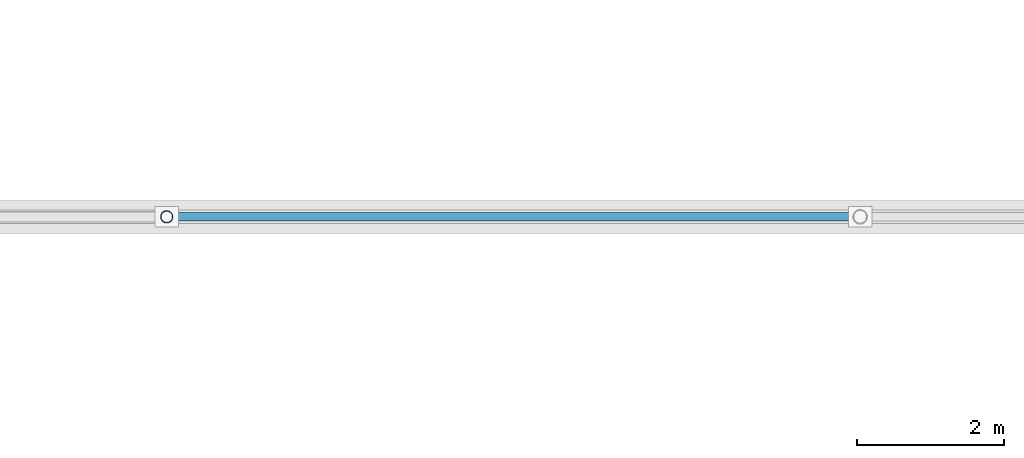
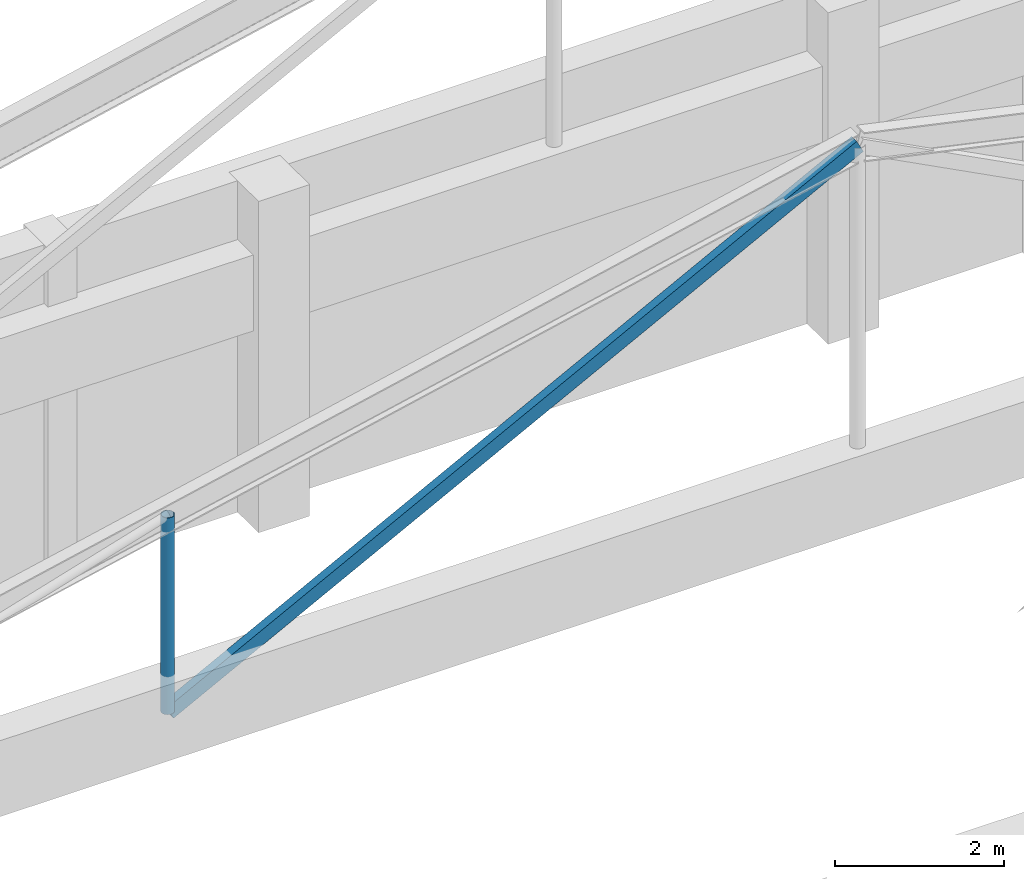
# One storey, part 34 of 105: 2 members.
"""IFC4 building model written with IfcOpenShell, lengths in metres."""

from ifc_helpers import new_model, si_unit, direction, frame, origin, origin_2d, place, context, subcontext, project, spatial, hollow_rectangle, hollow_circle, extrude, material, material_profile, profile_set, type_object, element, save


model = new_model("IFC4")

# Units and contexts
model_context = context("Model", 3, precision=1e-05, world=origin(), true_north=direction((0.0, 1.0)))
body_context = subcontext(model_context, "Body", "Model", "MODEL_VIEW")
ifc_project = project(units=[si_unit("LENGTHUNIT", "METRE"), si_unit("AREAUNIT", "SQUARE_METRE"), si_unit("VOLUMEUNIT", "CUBIC_METRE"), si_unit("PLANEANGLEUNIT", "RADIAN"), si_unit("MASSUNIT", "GRAM", prefix="KILO")], contexts=[model_context])

# Site, building, storey
site_placement = place(None, origin())
site = spatial("IfcSite", under=ifc_project, at=site_placement, CompositionType="ELEMENT")
building_placement = place(site_placement, origin())
building = spatial("IfcBuilding", under=site, at=building_placement, Name="Pelvatis Terrace Science Centre", CompositionType="ELEMENT")
storey_placement = place(building_placement, frame((0.0, 0.0, 10.199951171875)))
storey = spatial("IfcBuildingStorey", under=building, at=storey_placement, Name="L02", CompositionType="ELEMENT", Elevation=10.199951171875)

# Members
ifc_material_1 = material(Name="Structural steel S355", Category="steel")
ifc_material_profile_1 = material_profile(ifc_material_1, hollow_rectangle(XDim=0.1201171875, YDim=0.199951171875, WallThickness=0.00634765625, at=origin_2d()), Name="RHS 200x120x6.3")
ifc_profile_set_1 = profile_set([ifc_material_profile_1], Name="Structural steel S355")
member_type_1 = type_object("IfcMemberType", Name="MEM-BRC-RHS200", PredefinedType="BRACE", material=ifc_profile_set_1)
member_1_placement = place(storey_placement, frame((17.85009765625, 109.199951171875, 3.400146484375), z_axis=(0.887757308466, 0.0, 0.46031180874), x_axis=(0.0, 1.0, 0.0)))
element("IfcMember", 1, at=member_1_placement, inside=storey, type_object=member_type_1, Name="Theatre truss 6 web 4", PredefinedType="BRACE", context=body_context, shape_type="SweptSolid", body=[
    extrude(hollow_rectangle(XDim=0.1201171875, YDim=0.199951171875, WallThickness=0.00634765625, at=origin_2d()), origin(), (0.0, 0.0, 1.0), 10.644775390625),
])
ifc_material_2 = material(Name="Structural steel S355", Category="steel")
ifc_material_profile_2 = material_profile(ifc_material_2, hollow_circle(Radius=0.084228515625, WallThickness=0.00634765625, at=origin_2d()), Name="CHS 168.3x6.3")
ifc_profile_set_2 = profile_set([ifc_material_profile_2], Name="Structural steel S355")
member_type_2 = type_object("IfcMemberType", Name="MEM-STR-CHS168", PredefinedType="STRUT", material=ifc_profile_set_2)
member_2_placement = place(storey_placement, frame((17.85009765625, 109.199951171875, 3.400146484375), z_axis=(0.0, 0.0, 1.0), x_axis=(1.0, 0.0, 0.0)))
element("IfcMember", 2, at=member_2_placement, inside=storey, type_object=member_type_2, Name="Theatre truss 6 web 1", PredefinedType="STRUT", context=body_context, shape_type="SweptSolid", body=[
    extrude(hollow_circle(Radius=0.084228515625, WallThickness=0.00634765625, at=origin_2d()), origin(), (0.0, 0.0, 1.0), 2.849853515625),
])

save(model, "model.ifc")
